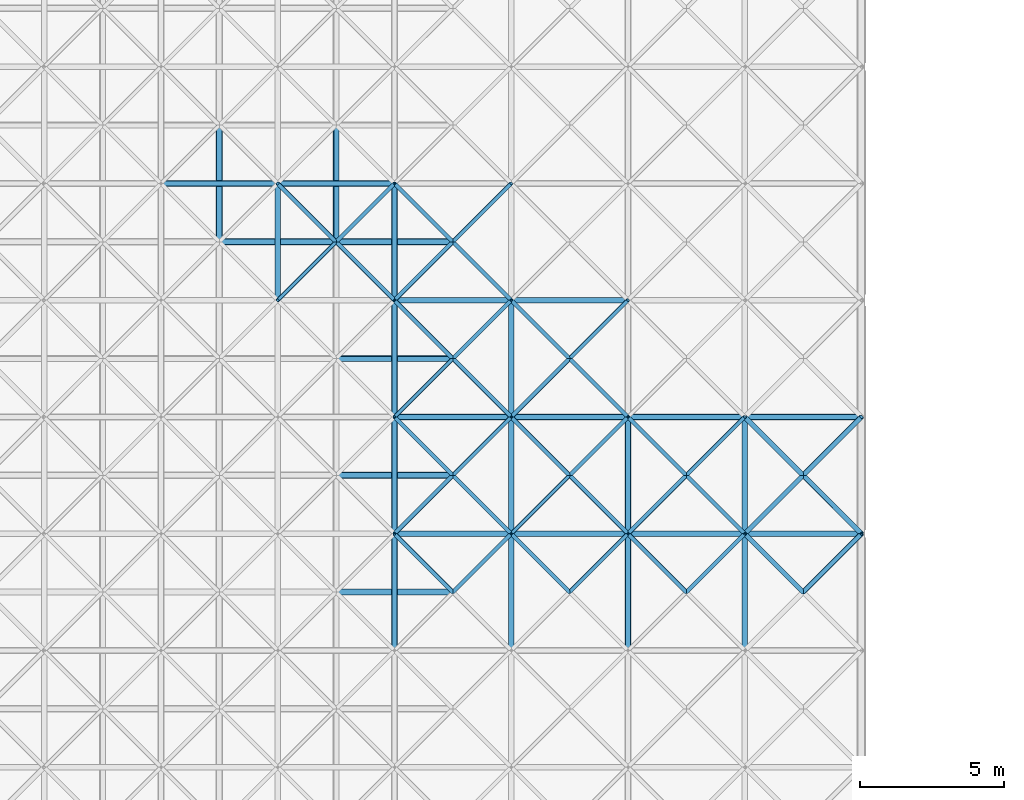
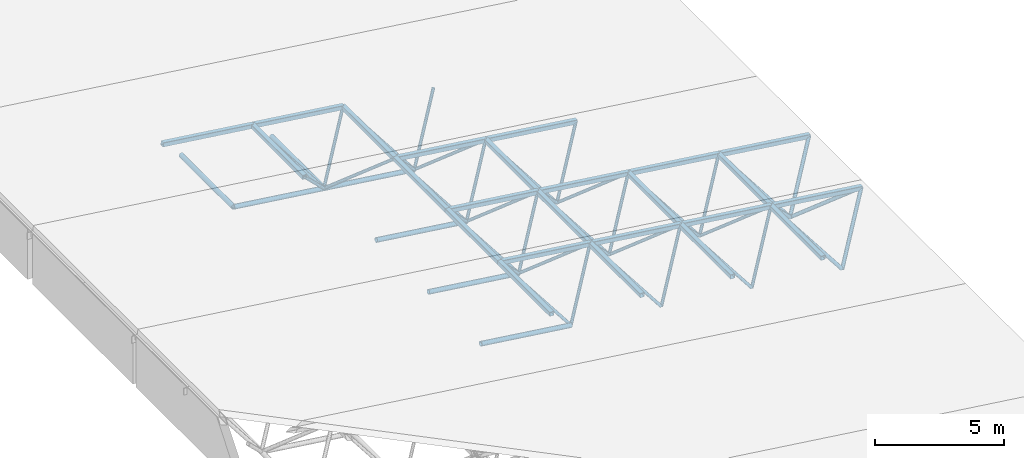
# One storey, part 21 of 70: 71 members.
"""IFC4 building model written with IfcOpenShell, lengths in metres."""

from ifc_helpers import new_model, si_unit, direction, frame, origin, origin_2d, place, context, subcontext, project, spatial, hollow_rectangle, hollow_circle, extrude, material, material_profile, profile_set, type_object, element, save


model = new_model("IFC4")

# Units and contexts
model_context = context("Model", 3, precision=1e-05, world=origin(), true_north=direction((0.0, 1.0)))
body_context = subcontext(model_context, "Body", "Model", "MODEL_VIEW")
ifc_project = project(units=[si_unit("LENGTHUNIT", "METRE"), si_unit("AREAUNIT", "SQUARE_METRE"), si_unit("VOLUMEUNIT", "CUBIC_METRE"), si_unit("PLANEANGLEUNIT", "RADIAN"), si_unit("MASSUNIT", "GRAM", prefix="KILO")], contexts=[model_context])

# Site, building, storey
site_placement = place(None, origin())
site = spatial("IfcSite", under=ifc_project, at=site_placement, CompositionType="ELEMENT")
building_placement = place(site_placement, origin())
building = spatial("IfcBuilding", under=site, at=building_placement, Name="Vaudrelin Polytechnic", CompositionType="ELEMENT")
storey_placement = place(building_placement, frame((0.0, 0.0, 14.110107421875)))
storey = spatial("IfcBuildingStorey", under=building, at=storey_placement, Name="L03", CompositionType="ELEMENT", Elevation=14.110107421875)

# Members
ifc_material = material(Name="Steel CSA G40.21 350WT", Category="steel")
ifc_material_profile_1 = material_profile(ifc_material, hollow_circle(Radius=0.109619140625, WallThickness=0.010986328125, at=origin_2d()), Name="CHS219.1x11.1")
ifc_profile_set_1 = profile_set([ifc_material_profile_1], Name="Steel CSA G40.21 350WT")
member_type_1 = type_object("IfcMemberType", Name="MEM-SF-BC1", PredefinedType="CHORD", material=ifc_profile_set_1)
for number, where, z_axis, x_axis, name in (
    (1, (14.175048828125, 70.875, 0.439208984375), (0.991444732077, 0.0, -0.130527174324), (0.0, 1.0, 0.0), "Space frame bottom chord X 4-8"),
    (2, (14.175048828125, 74.925048828125, 0.439208984375), (0.991444732077, 0.0, -0.130527174324), (0.0, 1.0, 0.0), "Space frame bottom chord X 4-9"),
    (3, (14.175048828125, 78.97509765625, 0.439208984375), (0.991444732077, 0.0, -0.130527174324), (0.0, 1.0, 0.0), "Space frame bottom chord X 4-10"),
    (4, (10.125, 83.02490234375, 0.972412109375), (0.991444732077, 0.0, -0.130527174324), (0.0, 1.0, 0.0), "Space frame bottom chord X 3-11"),
    (5, (14.175048828125, 83.02490234375, 0.439208984375), (0.991444732077, 0.0, -0.130527174324), (0.0, 1.0, 0.0), "Space frame bottom chord X 4-11"),
):
    element("IfcMember", number, at=place(storey_placement, frame(where, z_axis=z_axis, x_axis=x_axis)), inside=storey, type_object=member_type_1, Name=name, PredefinedType="CHORD", context=body_context, shape_type="SweptSolid", body=[
        extrude(hollow_circle(Radius=0.109619140625, WallThickness=0.010986328125, at=origin_2d()), origin(), (0.0, 0.0, 1.0), 4.0849609375),
    ])
for number, where, z_axis, x_axis, name in (
    (6, (10.125, 83.02490234375, 0.972412109375), (0.0, 1.0, 0.0), (-1.0, 0.0, 0.0), "Space frame bottom chord Y 3-11"),
    (7, (14.175048828125, 83.02490234375, 0.439208984375), (0.0, 1.0, 0.0), (-1.0, 0.0, 0.0), "Space frame bottom chord Y 4-11"),
):
    element("IfcMember", number, at=place(storey_placement, frame(where, z_axis=z_axis, x_axis=x_axis)), inside=storey, type_object=member_type_1, Name=name, PredefinedType="CHORD", context=body_context, shape_type="SweptSolid", body=[
        extrude(hollow_circle(Radius=0.109619140625, WallThickness=0.010986328125, at=origin_2d()), origin(), (0.0, 0.0, 1.0), 4.050048828125),
    ])
ifc_material_profile_2 = material_profile(ifc_material, hollow_rectangle(XDim=0.202880859375, YDim=0.202880859375, WallThickness=0.009521484375, InnerFilletRadius=0.009521484375, OuterFilletRadius=0.01904296875, at=origin_2d()), Name="HSS203x203x9.5")
ifc_profile_set_2 = profile_set([ifc_material_profile_2], Name="Steel CSA G40.21 350WT")
member_type_2 = type_object("IfcMemberType", Name="MEM-SF-TC1", PredefinedType="CHORD", material=ifc_profile_set_2)
for number, where, z_axis, x_axis, name in (
    (8, (16.199951171875, 72.89990234375, 2.372802734375), (0.991444732077, 0.0, -0.130527174324), (0.0, 1.0, 0.0), "Space frame top chord X 5-9"),
    (9, (20.25, 72.89990234375, 1.839599609375), (0.991444732077, 0.0, -0.130527174324), (0.0, 1.0, 0.0), "Space frame top chord X 6-9"),
    (10, (24.300048828125, 72.89990234375, 1.306396484375), (0.991444732077, 0.0, -0.130527174324), (0.0, 1.0, 0.0), "Space frame top chord X 7-9"),
):
    element("IfcMember", number, at=place(storey_placement, frame(where, z_axis=z_axis, x_axis=x_axis)), inside=storey, type_object=member_type_2, Name=name, PredefinedType="CHORD", context=body_context, shape_type="SweptSolid", body=[
        extrude(hollow_rectangle(XDim=0.202880859375, YDim=0.202880859375, WallThickness=0.009521484375, InnerFilletRadius=0.009521484375, OuterFilletRadius=0.01904296875, at=origin_2d()), origin(), (0.0, 0.0, 1.0), 4.0849609375),
    ])
member_1_placement = place(storey_placement, frame((28.35009765625, 72.89990234375, 0.773193359375), z_axis=(0.991443713746, 0.0, -0.13053490902), x_axis=(0.0, 1.0, 0.0)))
element("IfcMember", 11, at=member_1_placement, inside=storey, type_object=member_type_2, Name="Space frame top chord X 8-9", PredefinedType="CHORD", context=body_context, shape_type="SweptSolid", body=[
    extrude(hollow_rectangle(XDim=0.202880859375, YDim=0.202880859375, WallThickness=0.009521484375, InnerFilletRadius=0.009521484375, OuterFilletRadius=0.01904296875, at=origin_2d()), origin(), (0.0, 0.0, 1.0), 4.084716796875),
])
for number, where, z_axis, x_axis, name in (
    (12, (16.199951171875, 76.949951171875, 2.372802734375), (0.991444732077, 0.0, -0.130527174324), (0.0, 1.0, 0.0), "Space frame top chord X 5-10"),
    (13, (20.25, 76.949951171875, 1.839599609375), (0.991444732077, 0.0, -0.130527174324), (0.0, 1.0, 0.0), "Space frame top chord X 6-10"),
    (14, (24.300048828125, 76.949951171875, 1.306396484375), (0.991444732077, 0.0, -0.130527174324), (0.0, 1.0, 0.0), "Space frame top chord X 7-10"),
):
    element("IfcMember", number, at=place(storey_placement, frame(where, z_axis=z_axis, x_axis=x_axis)), inside=storey, type_object=member_type_2, Name=name, PredefinedType="CHORD", context=body_context, shape_type="SweptSolid", body=[
        extrude(hollow_rectangle(XDim=0.202880859375, YDim=0.202880859375, WallThickness=0.009521484375, InnerFilletRadius=0.009521484375, OuterFilletRadius=0.01904296875, at=origin_2d()), origin(), (0.0, 0.0, 1.0), 4.0849609375),
    ])
member_2_placement = place(storey_placement, frame((28.35009765625, 76.949951171875, 0.773193359375), z_axis=(0.991443713746, 0.0, -0.13053490902), x_axis=(0.0, 1.0, 0.0)))
element("IfcMember", 15, at=member_2_placement, inside=storey, type_object=member_type_2, Name="Space frame top chord X 8-10", PredefinedType="CHORD", context=body_context, shape_type="SweptSolid", body=[
    extrude(hollow_rectangle(XDim=0.202880859375, YDim=0.202880859375, WallThickness=0.009521484375, InnerFilletRadius=0.009521484375, OuterFilletRadius=0.01904296875, at=origin_2d()), origin(), (0.0, 0.0, 1.0), 4.084716796875),
])
for number, where, z_axis, x_axis, name in (
    (16, (16.199951171875, 81.0, 2.372802734375), (0.991444732077, 0.0, -0.130527174324), (0.0, 1.0, 0.0), "Space frame top chord X 5-11"),
    (17, (20.25, 81.0, 1.839599609375), (0.991444732077, 0.0, -0.130527174324), (0.0, 1.0, 0.0), "Space frame top chord X 6-11"),
):
    element("IfcMember", number, at=place(storey_placement, frame(where, z_axis=z_axis, x_axis=x_axis)), inside=storey, type_object=member_type_2, Name=name, PredefinedType="CHORD", context=body_context, shape_type="SweptSolid", body=[
        extrude(hollow_rectangle(XDim=0.202880859375, YDim=0.202880859375, WallThickness=0.009521484375, InnerFilletRadius=0.009521484375, OuterFilletRadius=0.01904296875, at=origin_2d()), origin(), (0.0, 0.0, 1.0), 4.0849609375),
    ])
member_3_placement = place(storey_placement, frame((8.10009765625, 85.050048828125, 3.439208984375), z_axis=(0.991443713746, 0.0, -0.13053490902), x_axis=(0.0, 1.0, 0.0)))
element("IfcMember", 18, at=member_3_placement, inside=storey, type_object=member_type_2, Name="Space frame top chord X 3-12", PredefinedType="CHORD", context=body_context, shape_type="SweptSolid", body=[
    extrude(hollow_rectangle(XDim=0.202880859375, YDim=0.202880859375, WallThickness=0.009521484375, InnerFilletRadius=0.009521484375, OuterFilletRadius=0.01904296875, at=origin_2d()), origin(), (0.0, 0.0, 1.0), 4.084716796875),
])
member_4_placement = place(storey_placement, frame((12.14990234375, 85.050048828125, 2.906005859375), z_axis=(0.991444732077, 0.0, -0.130527174324), x_axis=(0.0, 1.0, 0.0)))
element("IfcMember", 19, at=member_4_placement, inside=storey, type_object=member_type_2, Name="Space frame top chord X 4-12", PredefinedType="CHORD", context=body_context, shape_type="SweptSolid", body=[
    extrude(hollow_rectangle(XDim=0.202880859375, YDim=0.202880859375, WallThickness=0.009521484375, InnerFilletRadius=0.009521484375, OuterFilletRadius=0.01904296875, at=origin_2d()), origin(), (0.0, 0.0, 1.0), 4.0849609375),
])
member_5_placement = place(storey_placement, frame((12.14990234375, 81.0, 2.906005859375), z_axis=(0.0, 1.0, 0.0), x_axis=(-1.0, 0.0, 0.0)))
element("IfcMember", 20, at=member_5_placement, inside=storey, type_object=member_type_2, Name="Space frame top chord Y 4-11", PredefinedType="CHORD", context=body_context, shape_type="SweptSolid", body=[
    extrude(hollow_rectangle(XDim=0.202880859375, YDim=0.202880859375, WallThickness=0.009521484375, InnerFilletRadius=0.009521484375, OuterFilletRadius=0.01904296875, at=origin_2d()), origin(), (0.0, 0.0, 1.0), 4.050048828125),
])
member_6_placement = place(storey_placement, frame((16.199951171875, 68.85009765625, 2.372802734375), z_axis=(0.0, 1.0, 0.0), x_axis=(-1.0, 0.0, 0.0)))
element("IfcMember", 21, at=member_6_placement, inside=storey, type_object=member_type_2, Name="Space frame top chord Y 5-8", PredefinedType="CHORD", context=body_context, shape_type="SweptSolid", body=[
    extrude(hollow_rectangle(XDim=0.202880859375, YDim=0.202880859375, WallThickness=0.009521484375, InnerFilletRadius=0.009521484375, OuterFilletRadius=0.01904296875, at=origin_2d()), origin(), (0.0, 0.0, 1.0), 4.0498046875),
])
for number, where, z_axis, x_axis, name in (
    (22, (16.199951171875, 72.89990234375, 2.372802734375), (0.0, 1.0, 0.0), (-1.0, 0.0, 0.0), "Space frame top chord Y 5-9"),
    (23, (16.199951171875, 76.949951171875, 2.372802734375), (0.0, 1.0, 0.0), (-1.0, 0.0, 0.0), "Space frame top chord Y 5-10"),
    (24, (16.199951171875, 81.0, 2.372802734375), (0.0, 1.0, 0.0), (-1.0, 0.0, 0.0), "Space frame top chord Y 5-11"),
):
    element("IfcMember", number, at=place(storey_placement, frame(where, z_axis=z_axis, x_axis=x_axis)), inside=storey, type_object=member_type_2, Name=name, PredefinedType="CHORD", context=body_context, shape_type="SweptSolid", body=[
        extrude(hollow_rectangle(XDim=0.202880859375, YDim=0.202880859375, WallThickness=0.009521484375, InnerFilletRadius=0.009521484375, OuterFilletRadius=0.01904296875, at=origin_2d()), origin(), (0.0, 0.0, 1.0), 4.050048828125),
    ])
member_7_placement = place(storey_placement, frame((20.25, 68.85009765625, 1.839599609375), z_axis=(0.0, 1.0, 0.0), x_axis=(-1.0, 0.0, 0.0)))
element("IfcMember", 25, at=member_7_placement, inside=storey, type_object=member_type_2, Name="Space frame top chord Y 6-8", PredefinedType="CHORD", context=body_context, shape_type="SweptSolid", body=[
    extrude(hollow_rectangle(XDim=0.202880859375, YDim=0.202880859375, WallThickness=0.009521484375, InnerFilletRadius=0.009521484375, OuterFilletRadius=0.01904296875, at=origin_2d()), origin(), (0.0, 0.0, 1.0), 4.0498046875),
])
for number, where, z_axis, x_axis, name in (
    (26, (20.25, 72.89990234375, 1.839599609375), (0.0, 1.0, 0.0), (-1.0, 0.0, 0.0), "Space frame top chord Y 6-9"),
    (27, (20.25, 76.949951171875, 1.839599609375), (0.0, 1.0, 0.0), (-1.0, 0.0, 0.0), "Space frame top chord Y 6-10"),
):
    element("IfcMember", number, at=place(storey_placement, frame(where, z_axis=z_axis, x_axis=x_axis)), inside=storey, type_object=member_type_2, Name=name, PredefinedType="CHORD", context=body_context, shape_type="SweptSolid", body=[
        extrude(hollow_rectangle(XDim=0.202880859375, YDim=0.202880859375, WallThickness=0.009521484375, InnerFilletRadius=0.009521484375, OuterFilletRadius=0.01904296875, at=origin_2d()), origin(), (0.0, 0.0, 1.0), 4.050048828125),
    ])
member_8_placement = place(storey_placement, frame((24.300048828125, 68.85009765625, 1.306396484375), z_axis=(0.0, 1.0, 0.0), x_axis=(-1.0, 0.0, 0.0)))
element("IfcMember", 28, at=member_8_placement, inside=storey, type_object=member_type_2, Name="Space frame top chord Y 7-8", PredefinedType="CHORD", context=body_context, shape_type="SweptSolid", body=[
    extrude(hollow_rectangle(XDim=0.202880859375, YDim=0.202880859375, WallThickness=0.009521484375, InnerFilletRadius=0.009521484375, OuterFilletRadius=0.01904296875, at=origin_2d()), origin(), (0.0, 0.0, 1.0), 4.0498046875),
])
member_9_placement = place(storey_placement, frame((24.300048828125, 72.89990234375, 1.306396484375), z_axis=(0.0, 1.0, 0.0), x_axis=(-1.0, 0.0, 0.0)))
element("IfcMember", 29, at=member_9_placement, inside=storey, type_object=member_type_2, Name="Space frame top chord Y 7-9", PredefinedType="CHORD", context=body_context, shape_type="SweptSolid", body=[
    extrude(hollow_rectangle(XDim=0.202880859375, YDim=0.202880859375, WallThickness=0.009521484375, InnerFilletRadius=0.009521484375, OuterFilletRadius=0.01904296875, at=origin_2d()), origin(), (0.0, 0.0, 1.0), 4.050048828125),
])
member_10_placement = place(storey_placement, frame((28.35009765625, 68.85009765625, 0.773193359375), z_axis=(0.0, 1.0, 0.0), x_axis=(-1.0, 0.0, 0.0)))
element("IfcMember", 30, at=member_10_placement, inside=storey, type_object=member_type_2, Name="Space frame top chord Y 8-8", PredefinedType="CHORD", context=body_context, shape_type="SweptSolid", body=[
    extrude(hollow_rectangle(XDim=0.202880859375, YDim=0.202880859375, WallThickness=0.009521484375, InnerFilletRadius=0.009521484375, OuterFilletRadius=0.01904296875, at=origin_2d()), origin(), (0.0, 0.0, 1.0), 4.0498046875),
])
member_11_placement = place(storey_placement, frame((28.35009765625, 72.89990234375, 0.773193359375), z_axis=(0.0, 1.0, 0.0), x_axis=(-1.0, 0.0, 0.0)))
element("IfcMember", 31, at=member_11_placement, inside=storey, type_object=member_type_2, Name="Space frame top chord Y 8-9", PredefinedType="CHORD", context=body_context, shape_type="SweptSolid", body=[
    extrude(hollow_rectangle(XDim=0.202880859375, YDim=0.202880859375, WallThickness=0.009521484375, InnerFilletRadius=0.009521484375, OuterFilletRadius=0.01904296875, at=origin_2d()), origin(), (0.0, 0.0, 1.0), 4.050048828125),
])
ifc_material_profile_3 = material_profile(ifc_material, hollow_circle(Radius=0.06982421875, WallThickness=0.008056640625, at=origin_2d()), Name="CHS139.7x8.0")
ifc_profile_set_3 = profile_set([ifc_material_profile_3], Name="Steel CSA G40.21 350WT")
member_type_3 = type_object("IfcMemberType", Name="MEM-SF-WB1", PredefinedType="BRACE", material=ifc_profile_set_3)
member_12_placement = place(storey_placement, frame((14.175048828125, 83.02490234375, 0.439208984375), z_axis=(-0.535788013686, -0.535723422002, 0.65263436893), x_axis=(0.707064154862, -0.707149404941, 0.0)))
element("IfcMember", 32, at=member_12_placement, inside=storey, type_object=member_type_3, Name="Space frame web diagonal 4.11.1", PredefinedType="BRACE", context=body_context, shape_type="SweptSolid", body=[
    extrude(hollow_circle(Radius=0.06982421875, WallThickness=0.008056640625, at=origin_2d()), origin(), (0.0, 0.0, 1.0), 3.77978515625),
])
member_13_placement = place(storey_placement, frame((14.175048828125, 83.02490234375, 0.439208984375), z_axis=(0.586024364893, -0.586024364893, 0.559598863028), x_axis=(0.707106781187, 0.707106781187, 0.0)))
element("IfcMember", 33, at=member_13_placement, inside=storey, type_object=member_type_3, Name="Space frame web diagonal 4.11.2", PredefinedType="BRACE", context=body_context, shape_type="SweptSolid", body=[
    extrude(hollow_circle(Radius=0.06982421875, WallThickness=0.008056640625, at=origin_2d()), origin(), (0.0, 0.0, 1.0), 3.455322265625),
])
member_14_placement = place(storey_placement, frame((14.175048828125, 83.02490234375, 0.439208984375), z_axis=(0.586000099787, 0.586070753284, 0.559575692105), x_axis=(-0.707149404941, 0.707064154862, 0.0)))
element("IfcMember", 34, at=member_14_placement, inside=storey, type_object=member_type_3, Name="Space frame web diagonal 4.11.3", PredefinedType="BRACE", context=body_context, shape_type="SweptSolid", body=[
    extrude(hollow_circle(Radius=0.06982421875, WallThickness=0.008056640625, at=origin_2d()), origin(), (0.0, 0.0, 1.0), 3.45556640625),
])
member_15_placement = place(storey_placement, frame((14.175048828125, 83.02490234375, 0.439208984375), z_axis=(-0.535769473509, 0.535769473509, 0.652611785453), x_axis=(-0.707106781187, -0.707106781187, 0.0)))
element("IfcMember", 35, at=member_15_placement, inside=storey, type_object=member_type_3, Name="Space frame web diagonal 4.11.4", PredefinedType="BRACE", context=body_context, shape_type="SweptSolid", body=[
    extrude(hollow_circle(Radius=0.06982421875, WallThickness=0.008056640625, at=origin_2d()), origin(), (0.0, 0.0, 1.0), 3.77978515625),
])
member_16_placement = place(storey_placement, frame((18.22509765625, 70.875, -0.093994140625), z_axis=(0.586024364893, 0.586024364893, 0.559598863028), x_axis=(-0.707106781187, 0.707106781187, 0.0)))
element("IfcMember", 36, at=member_16_placement, inside=storey, type_object=member_type_3, Name="Space frame web diagonal 5.8.3", PredefinedType="BRACE", context=body_context, shape_type="SweptSolid", body=[
    extrude(hollow_circle(Radius=0.06982421875, WallThickness=0.008056640625, at=origin_2d()), origin(), (0.0, 0.0, 1.0), 3.455322265625),
])
for number, where, z_axis, x_axis, name in (
    (37, (18.22509765625, 70.875, -0.093994140625), (-0.535788013686, 0.535723422002, 0.65263436893), (-0.707064154862, -0.707149404941, 0.0), "Space frame web diagonal 5.8.4"),
    (38, (18.22509765625, 74.925048828125, -0.093994140625), (-0.535769473509, -0.535769473509, 0.652611785453), (0.707106781187, -0.707106781187, 0.0), "Space frame web diagonal 5.9.1"),
):
    element("IfcMember", number, at=place(storey_placement, frame(where, z_axis=z_axis, x_axis=x_axis)), inside=storey, type_object=member_type_3, Name=name, PredefinedType="BRACE", context=body_context, shape_type="SweptSolid", body=[
        extrude(hollow_circle(Radius=0.06982421875, WallThickness=0.008056640625, at=origin_2d()), origin(), (0.0, 0.0, 1.0), 3.77978515625),
    ])
member_17_placement = place(storey_placement, frame((18.22509765625, 74.925048828125, -0.093994140625), z_axis=(0.586000099787, -0.586070753284, 0.559575692105), x_axis=(0.707149404941, 0.707064154862, 0.0)))
element("IfcMember", 39, at=member_17_placement, inside=storey, type_object=member_type_3, Name="Space frame web diagonal 5.9.2", PredefinedType="BRACE", context=body_context, shape_type="SweptSolid", body=[
    extrude(hollow_circle(Radius=0.06982421875, WallThickness=0.008056640625, at=origin_2d()), origin(), (0.0, 0.0, 1.0), 3.45556640625),
])
member_18_placement = place(storey_placement, frame((18.22509765625, 74.925048828125, -0.093994140625), z_axis=(0.586024364893, 0.586024364893, 0.559598863028), x_axis=(-0.707106781187, 0.707106781187, 0.0)))
element("IfcMember", 40, at=member_18_placement, inside=storey, type_object=member_type_3, Name="Space frame web diagonal 5.9.3", PredefinedType="BRACE", context=body_context, shape_type="SweptSolid", body=[
    extrude(hollow_circle(Radius=0.06982421875, WallThickness=0.008056640625, at=origin_2d()), origin(), (0.0, 0.0, 1.0), 3.455322265625),
])
for number, where, z_axis, x_axis, name in (
    (41, (18.22509765625, 74.925048828125, -0.093994140625), (-0.535788013686, 0.535723422002, 0.65263436893), (-0.707064154862, -0.707149404941, 0.0), "Space frame web diagonal 5.9.4"),
    (42, (18.22509765625, 78.97509765625, -0.093994140625), (-0.535769473509, -0.535769473509, 0.652611785453), (0.707106781187, -0.707106781187, 0.0), "Space frame web diagonal 5.10.1"),
):
    element("IfcMember", number, at=place(storey_placement, frame(where, z_axis=z_axis, x_axis=x_axis)), inside=storey, type_object=member_type_3, Name=name, PredefinedType="BRACE", context=body_context, shape_type="SweptSolid", body=[
        extrude(hollow_circle(Radius=0.06982421875, WallThickness=0.008056640625, at=origin_2d()), origin(), (0.0, 0.0, 1.0), 3.77978515625),
    ])
member_19_placement = place(storey_placement, frame((18.22509765625, 78.97509765625, -0.093994140625), z_axis=(0.586000099787, -0.586070753284, 0.559575692105), x_axis=(0.707149404941, 0.707064154862, 0.0)))
element("IfcMember", 43, at=member_19_placement, inside=storey, type_object=member_type_3, Name="Space frame web diagonal 5.10.2", PredefinedType="BRACE", context=body_context, shape_type="SweptSolid", body=[
    extrude(hollow_circle(Radius=0.06982421875, WallThickness=0.008056640625, at=origin_2d()), origin(), (0.0, 0.0, 1.0), 3.45556640625),
])
member_20_placement = place(storey_placement, frame((18.22509765625, 78.97509765625, -0.093994140625), z_axis=(0.586024364893, 0.586024364893, 0.559598863028), x_axis=(-0.707106781187, 0.707106781187, 0.0)))
element("IfcMember", 44, at=member_20_placement, inside=storey, type_object=member_type_3, Name="Space frame web diagonal 5.10.3", PredefinedType="BRACE", context=body_context, shape_type="SweptSolid", body=[
    extrude(hollow_circle(Radius=0.06982421875, WallThickness=0.008056640625, at=origin_2d()), origin(), (0.0, 0.0, 1.0), 3.455322265625),
])
for number, where, z_axis, x_axis, name in (
    (45, (18.22509765625, 78.97509765625, -0.093994140625), (-0.535788013686, 0.535723422002, 0.65263436893), (-0.707064154862, -0.707149404941, 0.0), "Space frame web diagonal 5.10.4"),
    (46, (18.22509765625, 83.02490234375, -0.093994140625), (-0.535788013686, -0.535723422002, 0.65263436893), (0.707064154862, -0.707149404941, 0.0), "Space frame web diagonal 5.11.1"),
):
    element("IfcMember", number, at=place(storey_placement, frame(where, z_axis=z_axis, x_axis=x_axis)), inside=storey, type_object=member_type_3, Name=name, PredefinedType="BRACE", context=body_context, shape_type="SweptSolid", body=[
        extrude(hollow_circle(Radius=0.06982421875, WallThickness=0.008056640625, at=origin_2d()), origin(), (0.0, 0.0, 1.0), 3.77978515625),
    ])
member_21_placement = place(storey_placement, frame((18.22509765625, 83.02490234375, -0.093994140625), z_axis=(0.586024364893, -0.586024364893, 0.559598863028), x_axis=(0.707106781187, 0.707106781187, 0.0)))
element("IfcMember", 47, at=member_21_placement, inside=storey, type_object=member_type_3, Name="Space frame web diagonal 5.11.2", PredefinedType="BRACE", context=body_context, shape_type="SweptSolid", body=[
    extrude(hollow_circle(Radius=0.06982421875, WallThickness=0.008056640625, at=origin_2d()), origin(), (0.0, 0.0, 1.0), 3.455322265625),
])
member_22_placement = place(storey_placement, frame((18.22509765625, 83.02490234375, -0.093994140625), z_axis=(0.586000099787, 0.586070753284, 0.559575692105), x_axis=(-0.707149404941, 0.707064154862, 0.0)))
element("IfcMember", 48, at=member_22_placement, inside=storey, type_object=member_type_3, Name="Space frame web diagonal 5.11.3", PredefinedType="BRACE", context=body_context, shape_type="SweptSolid", body=[
    extrude(hollow_circle(Radius=0.06982421875, WallThickness=0.008056640625, at=origin_2d()), origin(), (0.0, 0.0, 1.0), 3.45556640625),
])
member_23_placement = place(storey_placement, frame((18.22509765625, 83.02490234375, -0.093994140625), z_axis=(-0.535769473509, 0.535769473509, 0.652611785453), x_axis=(-0.707106781187, -0.707106781187, 0.0)))
element("IfcMember", 49, at=member_23_placement, inside=storey, type_object=member_type_3, Name="Space frame web diagonal 5.11.4", PredefinedType="BRACE", context=body_context, shape_type="SweptSolid", body=[
    extrude(hollow_circle(Radius=0.06982421875, WallThickness=0.008056640625, at=origin_2d()), origin(), (0.0, 0.0, 1.0), 3.77978515625),
])
member_24_placement = place(storey_placement, frame((22.27490234375, 70.875, -0.627197265625), z_axis=(0.586070753284, 0.586000099787, 0.559575692105), x_axis=(-0.707064154862, 0.707149404941, 0.0)))
element("IfcMember", 50, at=member_24_placement, inside=storey, type_object=member_type_3, Name="Space frame web diagonal 6.8.3", PredefinedType="BRACE", context=body_context, shape_type="SweptSolid", body=[
    extrude(hollow_circle(Radius=0.06982421875, WallThickness=0.008056640625, at=origin_2d()), origin(), (0.0, 0.0, 1.0), 3.45556640625),
])
member_25_placement = place(storey_placement, frame((22.27490234375, 70.875, -0.627197265625), z_axis=(-0.535741961868, 0.535741961868, 0.652656954753), x_axis=(-0.707106781187, -0.707106781187, 0.0)))
element("IfcMember", 51, at=member_25_placement, inside=storey, type_object=member_type_3, Name="Space frame web diagonal 6.8.4", PredefinedType="BRACE", context=body_context, shape_type="SweptSolid", body=[
    extrude(hollow_circle(Radius=0.06982421875, WallThickness=0.008056640625, at=origin_2d()), origin(), (0.0, 0.0, 1.0), 3.779541015625),
])
member_26_placement = place(storey_placement, frame((22.27490234375, 74.925048828125, -0.627197265625), z_axis=(-0.535723422002, -0.535788013686, 0.65263436893), x_axis=(0.707149404941, -0.707064154862, 0.0)))
element("IfcMember", 52, at=member_26_placement, inside=storey, type_object=member_type_3, Name="Space frame web diagonal 6.9.1", PredefinedType="BRACE", context=body_context, shape_type="SweptSolid", body=[
    extrude(hollow_circle(Radius=0.06982421875, WallThickness=0.008056640625, at=origin_2d()), origin(), (0.0, 0.0, 1.0), 3.77978515625),
])
for number, where, z_axis, x_axis, name in (
    (53, (22.27490234375, 74.925048828125, -0.627197265625), (0.586046488267, -0.586046488267, 0.559552524059), (0.707106781187, 0.707106781187, 0.0), "Space frame web diagonal 6.9.2"),
    (54, (22.27490234375, 74.925048828125, -0.627197265625), (0.586070753284, 0.586000099787, 0.559575692105), (-0.707064154862, 0.707149404941, 0.0), "Space frame web diagonal 6.9.3"),
):
    element("IfcMember", number, at=place(storey_placement, frame(where, z_axis=z_axis, x_axis=x_axis)), inside=storey, type_object=member_type_3, Name=name, PredefinedType="BRACE", context=body_context, shape_type="SweptSolid", body=[
        extrude(hollow_circle(Radius=0.06982421875, WallThickness=0.008056640625, at=origin_2d()), origin(), (0.0, 0.0, 1.0), 3.45556640625),
    ])
member_27_placement = place(storey_placement, frame((22.27490234375, 74.925048828125, -0.627197265625), z_axis=(-0.535741961868, 0.535741961868, 0.652656954753), x_axis=(-0.707106781187, -0.707106781187, 0.0)))
element("IfcMember", 55, at=member_27_placement, inside=storey, type_object=member_type_3, Name="Space frame web diagonal 6.9.4", PredefinedType="BRACE", context=body_context, shape_type="SweptSolid", body=[
    extrude(hollow_circle(Radius=0.06982421875, WallThickness=0.008056640625, at=origin_2d()), origin(), (0.0, 0.0, 1.0), 3.779541015625),
])
member_28_placement = place(storey_placement, frame((22.27490234375, 78.97509765625, -0.627197265625), z_axis=(-0.535723422002, -0.535788013686, 0.65263436893), x_axis=(0.707149404941, -0.707064154862, 0.0)))
element("IfcMember", 56, at=member_28_placement, inside=storey, type_object=member_type_3, Name="Space frame web diagonal 6.10.1", PredefinedType="BRACE", context=body_context, shape_type="SweptSolid", body=[
    extrude(hollow_circle(Radius=0.06982421875, WallThickness=0.008056640625, at=origin_2d()), origin(), (0.0, 0.0, 1.0), 3.77978515625),
])
for number, where, z_axis, x_axis, name in (
    (57, (22.27490234375, 78.97509765625, -0.627197265625), (0.586046488267, -0.586046488267, 0.559552524059), (0.707106781187, 0.707106781187, 0.0), "Space frame web diagonal 6.10.2"),
    (58, (22.27490234375, 78.97509765625, -0.627197265625), (0.586070753284, 0.586000099787, 0.559575692105), (-0.707064154862, 0.707149404941, 0.0), "Space frame web diagonal 6.10.3"),
):
    element("IfcMember", number, at=place(storey_placement, frame(where, z_axis=z_axis, x_axis=x_axis)), inside=storey, type_object=member_type_3, Name=name, PredefinedType="BRACE", context=body_context, shape_type="SweptSolid", body=[
        extrude(hollow_circle(Radius=0.06982421875, WallThickness=0.008056640625, at=origin_2d()), origin(), (0.0, 0.0, 1.0), 3.45556640625),
    ])
member_29_placement = place(storey_placement, frame((22.27490234375, 78.97509765625, -0.627197265625), z_axis=(-0.535741961868, 0.535741961868, 0.652656954753), x_axis=(-0.707106781187, -0.707106781187, 0.0)))
element("IfcMember", 59, at=member_29_placement, inside=storey, type_object=member_type_3, Name="Space frame web diagonal 6.10.4", PredefinedType="BRACE", context=body_context, shape_type="SweptSolid", body=[
    extrude(hollow_circle(Radius=0.06982421875, WallThickness=0.008056640625, at=origin_2d()), origin(), (0.0, 0.0, 1.0), 3.779541015625),
])
member_30_placement = place(storey_placement, frame((26.324951171875, 70.875, -1.160400390625), z_axis=(0.586070753284, 0.586000099787, 0.559575692105), x_axis=(-0.707064154862, 0.707149404941, 0.0)))
element("IfcMember", 60, at=member_30_placement, inside=storey, type_object=member_type_3, Name="Space frame web diagonal 7.8.3", PredefinedType="BRACE", context=body_context, shape_type="SweptSolid", body=[
    extrude(hollow_circle(Radius=0.06982421875, WallThickness=0.008056640625, at=origin_2d()), origin(), (0.0, 0.0, 1.0), 3.45556640625),
])
member_31_placement = place(storey_placement, frame((26.324951171875, 70.875, -1.160400390625), z_axis=(-0.535741961868, 0.535741961868, 0.652656954753), x_axis=(-0.707106781187, -0.707106781187, 0.0)))
element("IfcMember", 61, at=member_31_placement, inside=storey, type_object=member_type_3, Name="Space frame web diagonal 7.8.4", PredefinedType="BRACE", context=body_context, shape_type="SweptSolid", body=[
    extrude(hollow_circle(Radius=0.06982421875, WallThickness=0.008056640625, at=origin_2d()), origin(), (0.0, 0.0, 1.0), 3.779541015625),
])
member_32_placement = place(storey_placement, frame((26.324951171875, 74.925048828125, -1.160400390625), z_axis=(-0.535723422002, -0.535788013686, 0.65263436893), x_axis=(0.707149404941, -0.707064154862, 0.0)))
element("IfcMember", 62, at=member_32_placement, inside=storey, type_object=member_type_3, Name="Space frame web diagonal 7.9.1", PredefinedType="BRACE", context=body_context, shape_type="SweptSolid", body=[
    extrude(hollow_circle(Radius=0.06982421875, WallThickness=0.008056640625, at=origin_2d()), origin(), (0.0, 0.0, 1.0), 3.77978515625),
])
for number, where, z_axis, x_axis, name in (
    (63, (26.324951171875, 74.925048828125, -1.160400390625), (0.586046488267, -0.586046488267, 0.559552524059), (0.707106781187, 0.707106781187, 0.0), "Space frame web diagonal 7.9.2"),
    (64, (26.324951171875, 74.925048828125, -1.160400390625), (0.586070753284, 0.586000099787, 0.559575692105), (-0.707064154862, 0.707149404941, 0.0), "Space frame web diagonal 7.9.3"),
):
    element("IfcMember", number, at=place(storey_placement, frame(where, z_axis=z_axis, x_axis=x_axis)), inside=storey, type_object=member_type_3, Name=name, PredefinedType="BRACE", context=body_context, shape_type="SweptSolid", body=[
        extrude(hollow_circle(Radius=0.06982421875, WallThickness=0.008056640625, at=origin_2d()), origin(), (0.0, 0.0, 1.0), 3.45556640625),
    ])
member_33_placement = place(storey_placement, frame((26.324951171875, 74.925048828125, -1.160400390625), z_axis=(-0.535741961868, 0.535741961868, 0.652656954753), x_axis=(-0.707106781187, -0.707106781187, 0.0)))
element("IfcMember", 65, at=member_33_placement, inside=storey, type_object=member_type_3, Name="Space frame web diagonal 7.9.4", PredefinedType="BRACE", context=body_context, shape_type="SweptSolid", body=[
    extrude(hollow_circle(Radius=0.06982421875, WallThickness=0.008056640625, at=origin_2d()), origin(), (0.0, 0.0, 1.0), 3.779541015625),
])
ifc_material_profile_4 = material_profile(ifc_material, hollow_circle(Radius=0.084228515625, WallThickness=0.009521484375, at=origin_2d()), Name="CHS168.3x9.5")
ifc_profile_set_4 = profile_set([ifc_material_profile_4], Name="Steel CSA G40.21 350WT")
member_type_4 = type_object("IfcMemberType", Name="MEM-SF-WB2", PredefinedType="BRACE", material=ifc_profile_set_4)
member_34_placement = place(storey_placement, frame((30.375, 70.875, -1.693603515625), z_axis=(0.586024364893, 0.586024364893, 0.559598863028), x_axis=(-0.707106781187, 0.707106781187, 0.0)))
element("IfcMember", 66, at=member_34_placement, inside=storey, type_object=member_type_4, Name="Space frame web diagonal 8.8.3", PredefinedType="BRACE", context=body_context, shape_type="SweptSolid", body=[
    extrude(hollow_circle(Radius=0.084228515625, WallThickness=0.009521484375, at=origin_2d()), origin(), (0.0, 0.0, 1.0), 3.455322265625),
])
member_35_placement = place(storey_placement, frame((30.375, 70.875, -1.693603515625), z_axis=(-0.535741961868, 0.535741961868, 0.652656954753), x_axis=(-0.707106781187, -0.707106781187, 0.0)))
element("IfcMember", 67, at=member_35_placement, inside=storey, type_object=member_type_4, Name="Space frame web diagonal 8.8.4", PredefinedType="BRACE", context=body_context, shape_type="SweptSolid", body=[
    extrude(hollow_circle(Radius=0.084228515625, WallThickness=0.009521484375, at=origin_2d()), origin(), (0.0, 0.0, 1.0), 3.779541015625),
])
member_36_placement = place(storey_placement, frame((30.375, 74.925048828125, -1.693603515625), z_axis=(-0.535723422002, -0.535788013686, 0.65263436893), x_axis=(0.707149404941, -0.707064154862, 0.0)))
element("IfcMember", 68, at=member_36_placement, inside=storey, type_object=member_type_4, Name="Space frame web diagonal 8.9.1", PredefinedType="BRACE", context=body_context, shape_type="SweptSolid", body=[
    extrude(hollow_circle(Radius=0.084228515625, WallThickness=0.009521484375, at=origin_2d()), origin(), (0.0, 0.0, 1.0), 3.77978515625),
])
member_37_placement = place(storey_placement, frame((30.375, 74.925048828125, -1.693603515625), z_axis=(0.586000099787, -0.586070753284, 0.559575692105), x_axis=(0.707149404941, 0.707064154862, 0.0)))
element("IfcMember", 69, at=member_37_placement, inside=storey, type_object=member_type_4, Name="Space frame web diagonal 8.9.2", PredefinedType="BRACE", context=body_context, shape_type="SweptSolid", body=[
    extrude(hollow_circle(Radius=0.084228515625, WallThickness=0.009521484375, at=origin_2d()), origin(), (0.0, 0.0, 1.0), 3.45556640625),
])
member_38_placement = place(storey_placement, frame((30.375, 74.925048828125, -1.693603515625), z_axis=(0.586024364893, 0.586024364893, 0.559598863028), x_axis=(-0.707106781187, 0.707106781187, 0.0)))
element("IfcMember", 70, at=member_38_placement, inside=storey, type_object=member_type_4, Name="Space frame web diagonal 8.9.3", PredefinedType="BRACE", context=body_context, shape_type="SweptSolid", body=[
    extrude(hollow_circle(Radius=0.084228515625, WallThickness=0.009521484375, at=origin_2d()), origin(), (0.0, 0.0, 1.0), 3.455322265625),
])
member_39_placement = place(storey_placement, frame((30.375, 74.925048828125, -1.693603515625), z_axis=(-0.535741961868, 0.535741961868, 0.652656954753), x_axis=(-0.707106781187, -0.707106781187, 0.0)))
element("IfcMember", 71, at=member_39_placement, inside=storey, type_object=member_type_4, Name="Space frame web diagonal 8.9.4", PredefinedType="BRACE", context=body_context, shape_type="SweptSolid", body=[
    extrude(hollow_circle(Radius=0.084228515625, WallThickness=0.009521484375, at=origin_2d()), origin(), (0.0, 0.0, 1.0), 3.779541015625),
])

save(model, "model.ifc")
